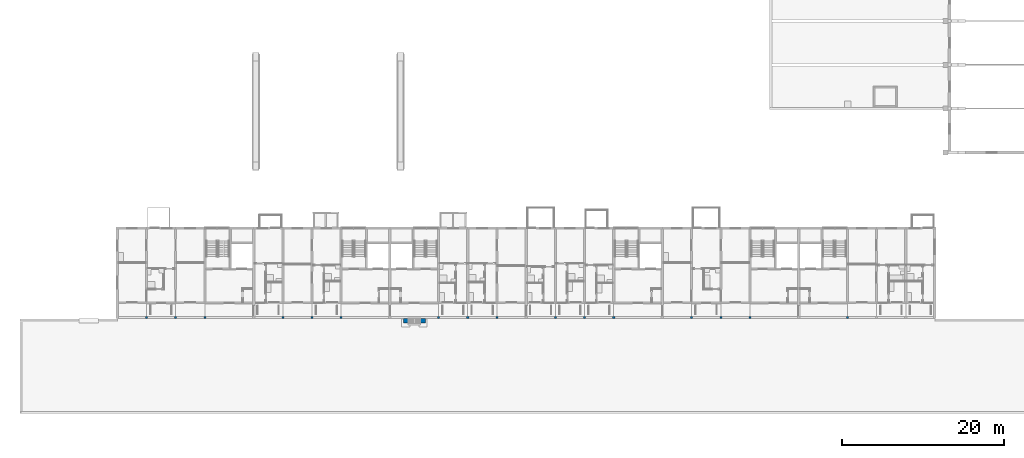
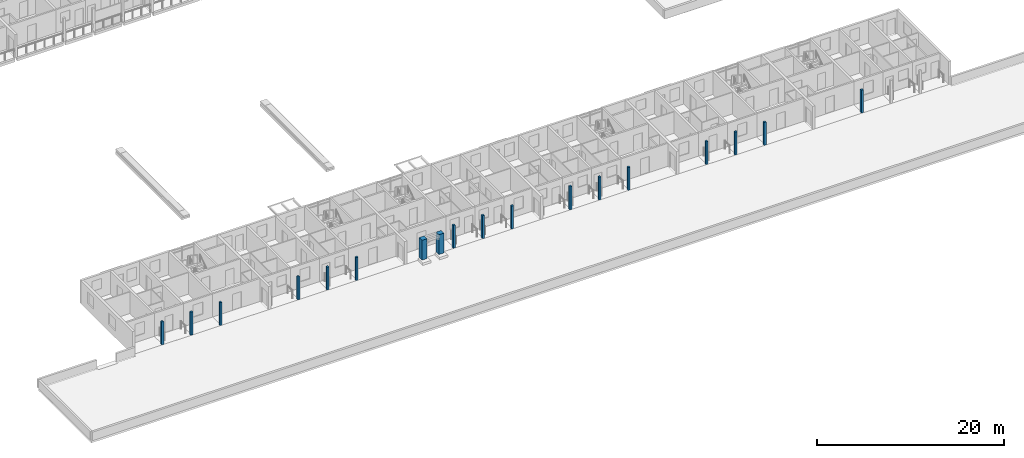
# One storey, part 2 of 115: 18 columns.
"""IFC4 building model written with IfcOpenShell, lengths in metres."""

import ifcopenshell
import ifcopenshell.guid

model = None  # the IFC model being written
_history = None  # IfcOwnerHistory: only IFC2X3 demands one
_inside = {}  # id of a spatial element -> (the spatial element, [elements in it])
_under = {}  # id of a project, library or spatial element -> (it, [spatial elements below it])
_declared = {}  # id of a project -> (the project, [libraries it declares])
_typed = {}  # id of a type object -> (the type object, [elements of that type])
_made_of = {}  # id of a material, layer set ... -> (it, [elements and type objects made of it])


def new_model(schema):
    """Start an empty IFC model of exactly this schema.

    Asked for "IFC4X3", IfcOpenShell would pick the latest addendum, in which some entities
    have other attributes; the version numbers below select the first issue.
    IFC2X3 requires an IfcOwnerHistory on every rooted entity: one is made here for all.
    """
    global model, _history
    if schema == "IFC4X3":
        model = ifcopenshell.file(schema_version=(4, 3, 0, 0))
    else:
        model = ifcopenshell.file(schema=schema)
    _inside.clear()
    _under.clear()
    _declared.clear()
    _typed.clear()
    _made_of.clear()
    _history = None
    if model.schema == "IFC2X3":
        org = make("IfcOrganization", Name="unknown")
        user = make(
            "IfcPersonAndOrganization",
            ThePerson=make("IfcPerson", FamilyName="unknown"),
            TheOrganization=org,
        )
        app = make(
            "IfcApplication",
            ApplicationDeveloper=org,
            Version="unknown",
            ApplicationFullName="unknown",
            ApplicationIdentifier="unknown",
        )
        _history = make(
            "IfcOwnerHistory",
            OwningUser=user,
            OwningApplication=app,
            ChangeAction="ADDED",
            CreationDate=0,
        )
    return model


def make(cls, **values):
    """One entity of the class cls with the attributes given. An attribute that is None is left unset."""
    return model.create_entity(
        cls, **{name: value for name, value in values.items() if value is not None}
    )


def rooted(cls, **values):
    """An entity with a GlobalId (a new one), such as an element, a storey or a relation."""
    return make(cls, GlobalId=ifcopenshell.guid.new(), OwnerHistory=_history, **values)


def si_unit(unit_type, name, prefix=None):
    """IfcSIUnit, for example si_unit("LENGTHUNIT", "METRE", prefix="MILLI")."""
    return make("IfcSIUnit", UnitType=unit_type, Prefix=prefix, Name=name)


def assignment(units):
    """IfcUnitAssignment: the units of a project."""
    return None if units is None else make("IfcUnitAssignment", Units=units)


def point(xyz):
    """IfcCartesianPoint."""
    return None if xyz is None else make("IfcCartesianPoint", Coordinates=xyz)


def direction(xyz):
    """IfcDirection."""
    return None if xyz is None else make("IfcDirection", DirectionRatios=xyz)


def frame(location, z_axis=None, x_axis=None):
    """IfcAxis2Placement3D, a coordinate frame: its origin and axes. An axis left out is left unset."""
    return make(
        "IfcAxis2Placement3D",
        Location=point(location),
        Axis=direction(z_axis),
        RefDirection=direction(x_axis),
    )


def frame_2d(location, x_axis=None):
    """IfcAxis2Placement2D, a coordinate frame in the plane: its origin and x axis."""
    return make(
        "IfcAxis2Placement2D", Location=point(location), RefDirection=direction(x_axis)
    )


def origin():
    """The frame at (0, 0, 0) with its axes left unset."""
    return frame((0.0, 0.0, 0.0))


def origin_2d():
    """The frame at (0, 0) in the plane with its x axis left unset."""
    return frame_2d((0.0, 0.0))


def place(relative_to, where):
    """IfcLocalPlacement: puts the frame where relative to a parent placement (None: the world)."""
    return make(
        "IfcLocalPlacement", PlacementRelTo=relative_to, RelativePlacement=where
    )


def context(
    kind, dimensions, precision=None, world=None, true_north=None, identifier=None
):
    """IfcGeometricRepresentationContext, for example the 3D "Model" context."""
    return make(
        "IfcGeometricRepresentationContext",
        ContextIdentifier=identifier,
        ContextType=kind,
        CoordinateSpaceDimension=dimensions,
        Precision=precision,
        WorldCoordinateSystem=world,
        TrueNorth=true_north,
    )


def subcontext(parent, identifier, kind, view, scale=None):
    """IfcGeometricRepresentationSubContext, for example "Body" below "Model"."""
    return make(
        "IfcGeometricRepresentationSubContext",
        ContextIdentifier=identifier,
        ContextType=kind,
        ParentContext=parent,
        TargetScale=scale,
        TargetView=view,
    )


def project(units=None, contexts=None):
    """IfcProject with its units and contexts."""
    return rooted(
        "IfcProject",
        Name="project",
        RepresentationContexts=contexts,
        UnitsInContext=assignment(units),
    )


def spatial(cls, under=None, at=None, **own):
    """A site, building, storey or space (cls), placed at a placement, below another one or the project."""
    s = rooted(cls, ObjectPlacement=at, **own)
    if under is not None:
        _under.setdefault(under.id(), (under, []))[1].append(s)
    return s


def profile(cls, at=None, kind="AREA", **sizes):
    """A parametric profile (cls). Its sizes go by their IFC names, for example OverallWidth=200.0."""
    return make(cls, ProfileType=kind, Position=at, **sizes)


def rectangle(**sizes):
    """IfcRectangleProfileDef."""
    return profile("IfcRectangleProfileDef", **sizes)


def extrude(swept, where, along, depth):
    """IfcExtrudedAreaSolid: the profile swept, set in the frame where, extruded along a direction by depth."""
    return make(
        "IfcExtrudedAreaSolid",
        SweptArea=swept,
        Position=where,
        ExtrudedDirection=direction(along),
        Depth=depth,
    )


def shape(context_of_items, identifier, shape_type, items):
    """IfcShapeRepresentation: the items that make up one representation, for example the "Body"."""
    return make(
        "IfcShapeRepresentation",
        ContextOfItems=context_of_items,
        RepresentationIdentifier=identifier,
        RepresentationType=shape_type,
        Items=items,
    )


def material(Name=None, Category=None):
    """IfcMaterial."""
    return make("IfcMaterial", Name=Name, Category=Category)


def material_profile(
    of_material, cross_section, Name=None, Category=None, Priority=None
):
    """IfcMaterialProfile: a cross section and its material."""
    return make(
        "IfcMaterialProfile",
        Name=Name,
        Material=of_material,
        Profile=cross_section,
        Priority=Priority,
        Category=Category,
    )


def profile_set(profiles, Name=None, composite=None):
    """IfcMaterialProfileSet."""
    return make(
        "IfcMaterialProfileSet",
        Name=Name,
        MaterialProfiles=profiles,
        CompositeProfile=composite,
    )


def made_of(thing, what):
    """Note that an element or type object is made of a material, layer set ...; save() writes the relation."""
    if what is not None:
        _made_of.setdefault(what.id(), (what, []))[1].append(thing)
    return thing


def type_object(cls, material=None, **own):
    """A type object (cls), such as IfcWallType, which elements share."""
    return made_of(rooted(cls, **own), material)


def element(
    cls,
    number,
    at=None,
    inside=None,
    cuts=None,
    type_object=None,
    material=None,
    context=None,
    identifier="Body",
    shape_type=None,
    held_by="IfcProductDefinitionShape",
    body=None,
    shapes=None,
    **own,
):
    """One element of the class cls, such as IfcWall. Its Tag is "e" and its number.

    at: its placement. inside: the storey or other place that contains it. cuts: it is an
    opening in that element (IfcRelVoidsElement). A single representation is given by context,
    identifier, shape_type and body (its items); several are given by shapes. held_by: the class
    of the entity that holds the representations. save() writes the other relations.
    """
    e = rooted(cls, Tag="e%d" % number, ObjectPlacement=at, **own)
    if body is not None:
        shapes = [shape(context, identifier, shape_type, body)]
    if shapes is not None:
        e.Representation = make(held_by, Representations=shapes)
    if inside is not None:
        _inside.setdefault(inside.id(), (inside, []))[1].append(e)
    if cuts is not None:
        rooted(
            "IfcRelVoidsElement", RelatingBuildingElement=cuts, RelatedOpeningElement=e
        )
    if type_object is not None:
        _typed.setdefault(type_object.id(), (type_object, []))[1].append(e)
    return made_of(e, material)


def aggregate(whole, parts):
    """IfcRelAggregates: a whole, such as a stair, and the parts it consists of."""
    return rooted("IfcRelAggregates", RelatingObject=whole, RelatedObjects=parts)


def save(model, path):
    """Write the relations noted so far, then the file.

    IfcRelAggregates (storeys below a building ...), IfcRelContainedInSpatialStructure (elements
    in a storey), IfcRelDefinesByType, IfcRelAssociatesMaterial and IfcRelDeclares: one each for
    every whole, place, type object, material and project.
    """
    for whole, parts in _under.values():
        aggregate(whole, parts)
    for where, things in _inside.values():
        rooted(
            "IfcRelContainedInSpatialStructure",
            RelatedElements=things,
            RelatingStructure=where,
        )
    for kind, things in _typed.values():
        rooted("IfcRelDefinesByType", RelatedObjects=things, RelatingType=kind)
    for what, things in _made_of.values():
        rooted("IfcRelAssociatesMaterial", RelatedObjects=things, RelatingMaterial=what)
    for by, libraries in _declared.values():
        rooted("IfcRelDeclares", RelatingContext=by, RelatedDefinitions=libraries)
    model.write(path)


model = new_model("IFC4")

# Units and contexts
model_context = context("Model", 3, precision=1e-05, world=origin(), true_north=direction((0.0, 1.0)))
body_context = subcontext(model_context, "Body", "Model", "MODEL_VIEW")
ifc_project = project(units=[si_unit("LENGTHUNIT", "METRE"), si_unit("AREAUNIT", "SQUARE_METRE"), si_unit("VOLUMEUNIT", "CUBIC_METRE"), si_unit("PLANEANGLEUNIT", "RADIAN"), si_unit("MASSUNIT", "GRAM", prefix="KILO")], contexts=[model_context])

# Site, building, storey
site_placement = place(None, origin())
site = spatial("IfcSite", under=ifc_project, at=site_placement, CompositionType="ELEMENT")
building_placement = place(site_placement, origin())
building = spatial("IfcBuilding", under=site, at=building_placement, Name="Ridgestep Commons", CompositionType="ELEMENT")
storey_placement = place(building_placement, frame((0.0, 0.0, 6.0)))
storey = spatial("IfcBuildingStorey", under=building, at=storey_placement, Name="L02", CompositionType="ELEMENT", Elevation=6.0)

# Columns
ifc_material_1 = material(Name="Precast concrete C40/50", Category="concrete")
ifc_material_profile_1 = material_profile(ifc_material_1, rectangle(XDim=0.25, YDim=0.25, at=origin_2d()), Name="PC 250x250")
ifc_profile_set_1 = profile_set([ifc_material_profile_1], Name="Precast concrete C40/50")
column_type_1 = type_object("IfcColumnType", Name="Loggia column 250 x 250", PredefinedType="COLUMN", material=ifc_profile_set_1)
for number, where, z_axis, x_axis, name in (
    (1, (15.60009765625, 11.875, 0.0), (0.0, 0.0, 1.0), (1.0, 0.0, 0.0), "Loggia column A L02"),
    (2, (19.199951171875, 11.875, 0.0), (0.0, 0.0, 1.0), (1.0, 0.0, 0.0), "Loggia column A L02"),
    (3, (22.800048828125, 11.875, 0.0), (0.0, 0.0, 1.0), (1.0, 0.0, 0.0), "Loggia column A L02"),
    (4, (32.39990234375, 11.875, 0.0), (0.0, 0.0, 1.0), (1.0, 0.0, 0.0), "Loggia column A L02"),
    (5, (36.0, 11.875, 0.0), (0.0, 0.0, 1.0), (1.0, 0.0, 0.0), "Loggia column A L02"),
    (6, (39.60009765625, 11.875, 0.0), (0.0, 0.0, 1.0), (1.0, 0.0, 0.0), "Loggia column A L02"),
    (7, (51.60009765625, 11.875, 0.0), (0.0, 0.0, 1.0), (1.0, 0.0, 0.0), "Loggia column A L02"),
    (8, (55.199951171875, 11.875, 0.0), (0.0, 0.0, 1.0), (1.0, 0.0, 0.0), "Loggia column A L02"),
    (9, (58.800048828125, 11.875, 0.0), (0.0, 0.0, 1.0), (1.0, 0.0, 0.0), "Loggia column A L02"),
    (10, (66.0, 11.875, 0.0), (0.0, 0.0, 1.0), (1.0, 0.0, 0.0), "Loggia column A L02"),
    (11, (69.60009765625, 11.875, 0.0), (0.0, 0.0, 1.0), (1.0, 0.0, 0.0), "Loggia column A L02"),
    (12, (73.199951171875, 11.875, 0.0), (0.0, 0.0, 1.0), (1.0, 0.0, 0.0), "Loggia column A L02"),
    (13, (82.800048828125, 11.875, 0.0), (0.0, 0.0, 1.0), (1.0, 0.0, 0.0), "Loggia column A L02"),
    (14, (86.39990234375, 11.875, 0.0), (0.0, 0.0, 1.0), (1.0, 0.0, 0.0), "Loggia column A L02"),
    (15, (90.0, 11.875, 0.0), (0.0, 0.0, 1.0), (1.0, 0.0, 0.0), "Loggia column A L02"),
    (16, (102.0, 11.875, 0.0), (0.0, 0.0, 1.0), (1.0, 0.0, 0.0), "Loggia column A L02"),
):
    element("IfcColumn", number, at=place(storey_placement, frame(where, z_axis=z_axis, x_axis=x_axis)), inside=storey, type_object=column_type_1, Name=name, PredefinedType="COLUMN", context=body_context, shape_type="SweptSolid", body=[
        extrude(rectangle(XDim=0.25, YDim=0.25, at=origin_2d()), origin(), (0.0, 0.0, 1.0), 3.0),
    ])
ifc_material_2 = material(Name="Precast concrete C40/50", Category="concrete")
ifc_material_profile_2 = material_profile(ifc_material_2, rectangle(XDim=0.60009765625, YDim=0.60009765625, at=origin_2d()), Name="PC 600x600")
ifc_profile_set_2 = profile_set([ifc_material_profile_2], Name="Precast concrete C40/50")
column_type_2 = type_object("IfcColumnType", Name="Portal pier 600 x 600", PredefinedType="COLUMN", material=ifc_profile_set_2)
for number, where, z_axis, x_axis, name in (
    (17, (47.5625, 11.449951171875, 0.300048828125), (0.0, 0.0, 1.0), (1.0, 0.0, 0.0), "Portal pier A1"),
    (18, (49.66259765625, 11.449951171875, 0.300048828125), (0.0, 0.0, 1.0), (1.0, 0.0, 0.0), "Portal pier A2"),
):
    element("IfcColumn", number, at=place(storey_placement, frame(where, z_axis=z_axis, x_axis=x_axis)), inside=storey, type_object=column_type_2, Name=name, PredefinedType="COLUMN", context=body_context, shape_type="SweptSolid", body=[
        extrude(rectangle(XDim=0.60009765625, YDim=0.60009765625, at=origin_2d()), origin(), (0.0, 0.0, 1.0), 2.599853515625),
    ])

save(model, "model.ifc")
